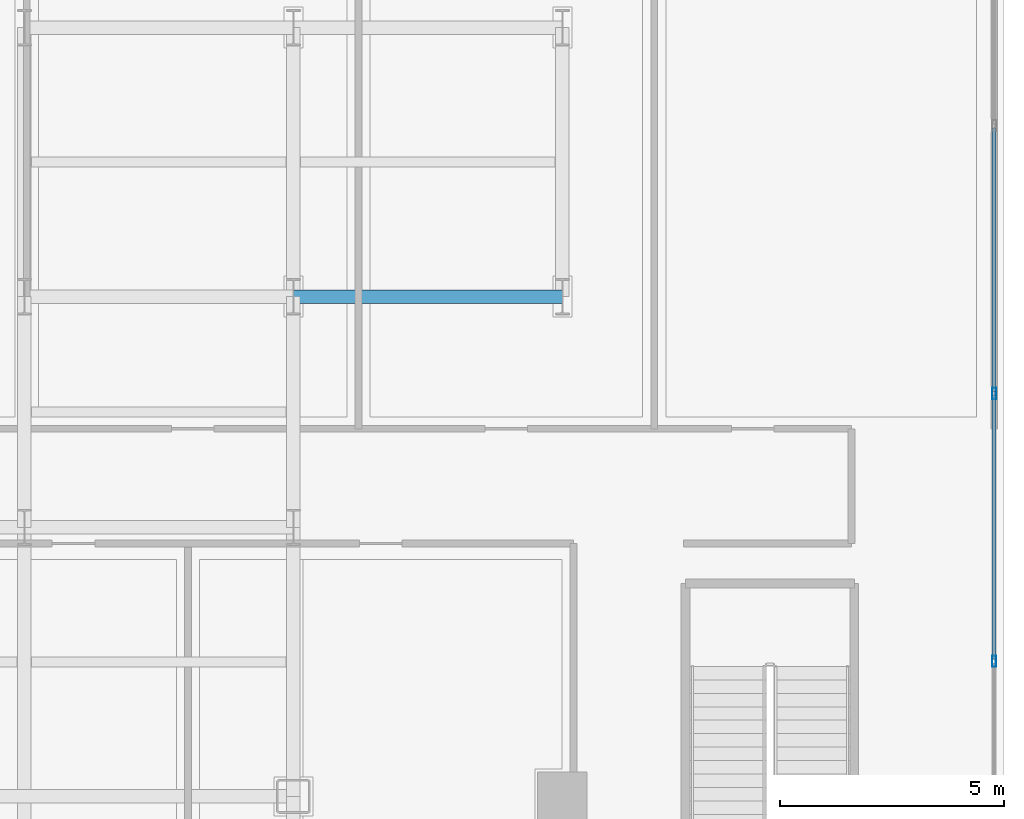
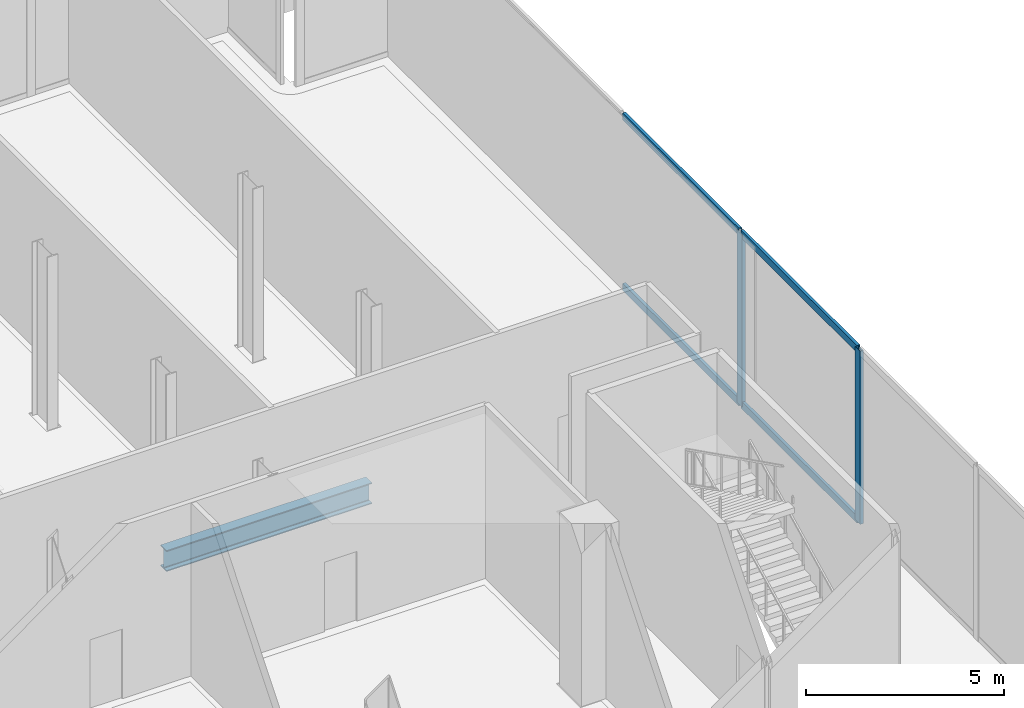
# One storey, part 12 of 27: 6 members, 1 beam, 1 element without a shape of its own.
"""IFC4 building model written with IfcOpenShell, lengths in metres."""

import ifcopenshell
import ifcopenshell.guid

model = None  # the IFC model being written
_history = None  # IfcOwnerHistory: only IFC2X3 demands one
_inside = {}  # id of a spatial element -> (the spatial element, [elements in it])
_under = {}  # id of a project, library or spatial element -> (it, [spatial elements below it])
_declared = {}  # id of a project -> (the project, [libraries it declares])
_typed = {}  # id of a type object -> (the type object, [elements of that type])
_made_of = {}  # id of a material, layer set ... -> (it, [elements and type objects made of it])


def new_model(schema):
    """Start an empty IFC model of exactly this schema.

    Asked for "IFC4X3", IfcOpenShell would pick the latest addendum, in which some entities
    have other attributes; the version numbers below select the first issue.
    IFC2X3 requires an IfcOwnerHistory on every rooted entity: one is made here for all.
    """
    global model, _history
    if schema == "IFC4X3":
        model = ifcopenshell.file(schema_version=(4, 3, 0, 0))
    else:
        model = ifcopenshell.file(schema=schema)
    _inside.clear()
    _under.clear()
    _declared.clear()
    _typed.clear()
    _made_of.clear()
    _history = None
    if model.schema == "IFC2X3":
        org = make("IfcOrganization", Name="unknown")
        user = make(
            "IfcPersonAndOrganization",
            ThePerson=make("IfcPerson", FamilyName="unknown"),
            TheOrganization=org,
        )
        app = make(
            "IfcApplication",
            ApplicationDeveloper=org,
            Version="unknown",
            ApplicationFullName="unknown",
            ApplicationIdentifier="unknown",
        )
        _history = make(
            "IfcOwnerHistory",
            OwningUser=user,
            OwningApplication=app,
            ChangeAction="ADDED",
            CreationDate=0,
        )
    return model


def make(cls, **values):
    """One entity of the class cls with the attributes given. An attribute that is None is left unset."""
    return model.create_entity(
        cls, **{name: value for name, value in values.items() if value is not None}
    )


def rooted(cls, **values):
    """An entity with a GlobalId (a new one), such as an element, a storey or a relation."""
    return make(cls, GlobalId=ifcopenshell.guid.new(), OwnerHistory=_history, **values)


def si_unit(unit_type, name, prefix=None):
    """IfcSIUnit, for example si_unit("LENGTHUNIT", "METRE", prefix="MILLI")."""
    return make("IfcSIUnit", UnitType=unit_type, Prefix=prefix, Name=name)


def assignment(units):
    """IfcUnitAssignment: the units of a project."""
    return None if units is None else make("IfcUnitAssignment", Units=units)


def point(xyz):
    """IfcCartesianPoint."""
    return None if xyz is None else make("IfcCartesianPoint", Coordinates=xyz)


def direction(xyz):
    """IfcDirection."""
    return None if xyz is None else make("IfcDirection", DirectionRatios=xyz)


def frame(location, z_axis=None, x_axis=None):
    """IfcAxis2Placement3D, a coordinate frame: its origin and axes. An axis left out is left unset."""
    return make(
        "IfcAxis2Placement3D",
        Location=point(location),
        Axis=direction(z_axis),
        RefDirection=direction(x_axis),
    )


def frame_2d(location, x_axis=None):
    """IfcAxis2Placement2D, a coordinate frame in the plane: its origin and x axis."""
    return make(
        "IfcAxis2Placement2D", Location=point(location), RefDirection=direction(x_axis)
    )


def origin():
    """The frame at (0, 0, 0) with its axes left unset."""
    return frame((0.0, 0.0, 0.0))


def origin_2d():
    """The frame at (0, 0) in the plane with its x axis left unset."""
    return frame_2d((0.0, 0.0))


def place(relative_to, where):
    """IfcLocalPlacement: puts the frame where relative to a parent placement (None: the world)."""
    return make(
        "IfcLocalPlacement", PlacementRelTo=relative_to, RelativePlacement=where
    )


def context(
    kind, dimensions, precision=None, world=None, true_north=None, identifier=None
):
    """IfcGeometricRepresentationContext, for example the 3D "Model" context."""
    return make(
        "IfcGeometricRepresentationContext",
        ContextIdentifier=identifier,
        ContextType=kind,
        CoordinateSpaceDimension=dimensions,
        Precision=precision,
        WorldCoordinateSystem=world,
        TrueNorth=true_north,
    )


def subcontext(parent, identifier, kind, view, scale=None):
    """IfcGeometricRepresentationSubContext, for example "Body" below "Model"."""
    return make(
        "IfcGeometricRepresentationSubContext",
        ContextIdentifier=identifier,
        ContextType=kind,
        ParentContext=parent,
        TargetScale=scale,
        TargetView=view,
    )


def project(units=None, contexts=None):
    """IfcProject with its units and contexts."""
    return rooted(
        "IfcProject",
        Name="project",
        RepresentationContexts=contexts,
        UnitsInContext=assignment(units),
    )


def spatial(cls, under=None, at=None, **own):
    """A site, building, storey or space (cls), placed at a placement, below another one or the project."""
    s = rooted(cls, ObjectPlacement=at, **own)
    if under is not None:
        _under.setdefault(under.id(), (under, []))[1].append(s)
    return s


def profile(cls, at=None, kind="AREA", **sizes):
    """A parametric profile (cls). Its sizes go by their IFC names, for example OverallWidth=200.0."""
    return make(cls, ProfileType=kind, Position=at, **sizes)


def hollow_rectangle(**sizes):
    """IfcRectangleHollowProfileDef."""
    return profile("IfcRectangleHollowProfileDef", **sizes)


def i_section(**sizes):
    """IfcIShapeProfileDef."""
    return profile("IfcIShapeProfileDef", **sizes)


def extrude(swept, where, along, depth):
    """IfcExtrudedAreaSolid: the profile swept, set in the frame where, extruded along a direction by depth."""
    return make(
        "IfcExtrudedAreaSolid",
        SweptArea=swept,
        Position=where,
        ExtrudedDirection=direction(along),
        Depth=depth,
    )


def shape(context_of_items, identifier, shape_type, items):
    """IfcShapeRepresentation: the items that make up one representation, for example the "Body"."""
    return make(
        "IfcShapeRepresentation",
        ContextOfItems=context_of_items,
        RepresentationIdentifier=identifier,
        RepresentationType=shape_type,
        Items=items,
    )


def material(Name=None, Category=None):
    """IfcMaterial."""
    return make("IfcMaterial", Name=Name, Category=Category)


def layer(
    of_material, thickness, ventilated=None, Name=None, Category=None, Priority=None
):
    """IfcMaterialLayer: one layer of a wall or slab, of a material (None: an air gap)."""
    return make(
        "IfcMaterialLayer",
        Material=of_material,
        LayerThickness=thickness,
        IsVentilated=ventilated,
        Name=Name,
        Category=Category,
        Priority=Priority,
    )


def layer_set(layers, Name=None):
    """IfcMaterialLayerSet."""
    return make("IfcMaterialLayerSet", MaterialLayers=layers, LayerSetName=Name)


def material_profile(
    of_material, cross_section, Name=None, Category=None, Priority=None
):
    """IfcMaterialProfile: a cross section and its material."""
    return make(
        "IfcMaterialProfile",
        Name=Name,
        Material=of_material,
        Profile=cross_section,
        Priority=Priority,
        Category=Category,
    )


def profile_set(profiles, Name=None, composite=None):
    """IfcMaterialProfileSet."""
    return make(
        "IfcMaterialProfileSet",
        Name=Name,
        MaterialProfiles=profiles,
        CompositeProfile=composite,
    )


def made_of(thing, what):
    """Note that an element or type object is made of a material, layer set ...; save() writes the relation."""
    if what is not None:
        _made_of.setdefault(what.id(), (what, []))[1].append(thing)
    return thing


def type_object(cls, material=None, **own):
    """A type object (cls), such as IfcWallType, which elements share."""
    return made_of(rooted(cls, **own), material)


def element(
    cls,
    number,
    at=None,
    inside=None,
    cuts=None,
    type_object=None,
    material=None,
    context=None,
    identifier="Body",
    shape_type=None,
    held_by="IfcProductDefinitionShape",
    body=None,
    shapes=None,
    **own,
):
    """One element of the class cls, such as IfcWall. Its Tag is "e" and its number.

    at: its placement. inside: the storey or other place that contains it. cuts: it is an
    opening in that element (IfcRelVoidsElement). A single representation is given by context,
    identifier, shape_type and body (its items); several are given by shapes. held_by: the class
    of the entity that holds the representations. save() writes the other relations.
    """
    e = rooted(cls, Tag="e%d" % number, ObjectPlacement=at, **own)
    if body is not None:
        shapes = [shape(context, identifier, shape_type, body)]
    if shapes is not None:
        e.Representation = make(held_by, Representations=shapes)
    if inside is not None:
        _inside.setdefault(inside.id(), (inside, []))[1].append(e)
    if cuts is not None:
        rooted(
            "IfcRelVoidsElement", RelatingBuildingElement=cuts, RelatedOpeningElement=e
        )
    if type_object is not None:
        _typed.setdefault(type_object.id(), (type_object, []))[1].append(e)
    return made_of(e, material)


def aggregate(whole, parts):
    """IfcRelAggregates: a whole, such as a stair, and the parts it consists of."""
    return rooted("IfcRelAggregates", RelatingObject=whole, RelatedObjects=parts)


def save(model, path):
    """Write the relations noted so far, then the file.

    IfcRelAggregates (storeys below a building ...), IfcRelContainedInSpatialStructure (elements
    in a storey), IfcRelDefinesByType, IfcRelAssociatesMaterial and IfcRelDeclares: one each for
    every whole, place, type object, material and project.
    """
    for whole, parts in _under.values():
        aggregate(whole, parts)
    for where, things in _inside.values():
        rooted(
            "IfcRelContainedInSpatialStructure",
            RelatedElements=things,
            RelatingStructure=where,
        )
    for kind, things in _typed.values():
        rooted("IfcRelDefinesByType", RelatedObjects=things, RelatingType=kind)
    for what, things in _made_of.values():
        rooted("IfcRelAssociatesMaterial", RelatedObjects=things, RelatingMaterial=what)
    for by, libraries in _declared.values():
        rooted("IfcRelDeclares", RelatingContext=by, RelatedDefinitions=libraries)
    model.write(path)


model = new_model("IFC4")

# Units and contexts
model_context = context("Model", 3, precision=1e-05, world=origin(), true_north=direction((0.0, 1.0)))
body_context = subcontext(model_context, "Body", "Model", "MODEL_VIEW")
ifc_project = project(units=[si_unit("LENGTHUNIT", "METRE"), si_unit("AREAUNIT", "SQUARE_METRE"), si_unit("VOLUMEUNIT", "CUBIC_METRE"), si_unit("PLANEANGLEUNIT", "RADIAN"), si_unit("MASSUNIT", "GRAM", prefix="KILO"), si_unit("THERMODYNAMICTEMPERATUREUNIT", "KELVIN"), si_unit("POWERUNIT", "WATT")], contexts=[model_context])

# Site, building, storey
site_placement = place(None, origin())
site = spatial("IfcSite", under=ifc_project, at=site_placement, CompositionType="ELEMENT")
building_placement = place(site_placement, origin())
building = spatial("IfcBuilding", under=site, at=building_placement, Name="Svarakhadi Broadcast Tower", CompositionType="ELEMENT")
storey_placement = place(building_placement, frame((0.0, 0.0, 21.89990234375)))
storey = spatial("IfcBuildingStorey", under=building, at=storey_placement, Name="L04", CompositionType="ELEMENT", Elevation=21.89990234375)

# Curtain wall, members
ifc_material_1 = material(Name="Anodised Bronze Aluminium AA 6063-T6", Category="aluminium")
ifc_layer = layer(ifc_material_1, 0.25)
ifc_layer_set = layer_set([ifc_layer], Name="Anodised Bronze Aluminium AA 6063-T6")
curtain_wall_type = type_object("IfcCurtainWallType", Name="CW_Sys_01", PredefinedType="NOTDEFINED", material=ifc_layer_set)
curtain_wall_placement = place(storey_placement, origin())
curtain_wall = element("IfcCurtainWall", 1, at=curtain_wall_placement, inside=storey, type_object=curtain_wall_type, Name="L04 Unitised Facade Curtain Wall 08", PredefinedType="NOTDEFINED")
ifc_material_profile_1 = material_profile(ifc_material_1, hollow_rectangle(XDim=0.094970703125, YDim=0.25, WallThickness=0.006103515625, at=origin_2d()), Name="ALU MULLION 250x95x6")
ifc_profile_set_1 = profile_set([ifc_material_profile_1], Name="Anodised Bronze Aluminium AA 6063-T6")
member_type_1 = type_object("IfcMemberType", Name="CW_Sys_01_Mul", PredefinedType="MULLION", material=ifc_profile_set_1)
member_1_placement = place(storey_placement, frame((62.780029296875, 26.987060546875, 0.0), z_axis=(0.0, 0.0, 1.0), x_axis=(1.0, 0.0, 0.0)))
member_1 = element("IfcMember", 2, at=member_1_placement, type_object=member_type_1, Name="CW-01 mullion 4", PredefinedType="MULLION", context=body_context, shape_type="SweptSolid", body=[
    extrude(hollow_rectangle(XDim=0.094970703125, YDim=0.25, WallThickness=0.006103515625, at=origin_2d()), origin(), (0.0, 0.0, 1.0), 5.35009765625),
])
member_2_placement = place(storey_placement, frame((62.780029296875, 21.012939453125, 0.0), z_axis=(0.0, 0.0, 1.0), x_axis=(1.0, 0.0, 0.0)))
member_2 = element("IfcMember", 3, at=member_2_placement, type_object=member_type_1, Name="CW-01 mullion 5", PredefinedType="MULLION", context=body_context, shape_type="SweptSolid", body=[
    extrude(hollow_rectangle(XDim=0.094970703125, YDim=0.25, WallThickness=0.006103515625, at=origin_2d()), origin(), (0.0, 0.0, 1.0), 5.35009765625),
])
ifc_material_profile_2 = material_profile(ifc_material_1, hollow_rectangle(XDim=0.0849609375, YDim=0.219970703125, WallThickness=0.0048828125, at=origin_2d()), Name="ALU TRANSOM 220x85x5")
ifc_profile_set_2 = profile_set([ifc_material_profile_2], Name="Anodised Bronze Aluminium AA 6063-T6")
member_type_2 = type_object("IfcMemberType", Name="CW_Sys_01_Trn", PredefinedType="USERDEFINED", material=ifc_profile_set_2)
member_3_placement = place(storey_placement, frame((62.780029296875, 32.913818359375, 0.04248046875), z_axis=(0.0, -1.0, 0.0), x_axis=(1.0, 0.0, 0.0)))
member_3 = element("IfcMember", 4, at=member_3_placement, type_object=member_type_2, Name="CW-01 transom 3.1", ObjectType="TRANSOM", PredefinedType="USERDEFINED", context=body_context, shape_type="SweptSolid", body=[
    extrude(hollow_rectangle(XDim=0.0849609375, YDim=0.219970703125, WallThickness=0.0048828125, at=origin_2d()), origin(), (0.0, 0.0, 1.0), 5.879150390625),
])
member_4_placement = place(storey_placement, frame((62.780029296875, 32.913818359375, 5.3076171875), z_axis=(0.0, -1.0, 0.0), x_axis=(1.0, 0.0, 0.0)))
member_4 = element("IfcMember", 5, at=member_4_placement, type_object=member_type_2, Name="CW-01 transom 3.2", ObjectType="TRANSOM", PredefinedType="USERDEFINED", context=body_context, shape_type="SweptSolid", body=[
    extrude(hollow_rectangle(XDim=0.0849609375, YDim=0.219970703125, WallThickness=0.0048828125, at=origin_2d()), origin(), (0.0, 0.0, 1.0), 5.879150390625),
])
member_5_placement = place(storey_placement, frame((62.780029296875, 26.939697265625, 0.04248046875), z_axis=(0.0, -1.0, 0.0), x_axis=(1.0, 0.0, 0.0)))
member_5 = element("IfcMember", 6, at=member_5_placement, type_object=member_type_2, Name="CW-01 transom 4.1", ObjectType="TRANSOM", PredefinedType="USERDEFINED", context=body_context, shape_type="SweptSolid", body=[
    extrude(hollow_rectangle(XDim=0.0849609375, YDim=0.219970703125, WallThickness=0.0048828125, at=origin_2d()), origin(), (0.0, 0.0, 1.0), 5.87939453125),
])
member_6_placement = place(storey_placement, frame((62.780029296875, 26.939697265625, 5.3076171875), z_axis=(0.0, -1.0, 0.0), x_axis=(1.0, 0.0, 0.0)))
member_6 = element("IfcMember", 7, at=member_6_placement, type_object=member_type_2, Name="CW-01 transom 4.2", ObjectType="TRANSOM", PredefinedType="USERDEFINED", context=body_context, shape_type="SweptSolid", body=[
    extrude(hollow_rectangle(XDim=0.0849609375, YDim=0.219970703125, WallThickness=0.0048828125, at=origin_2d()), origin(), (0.0, 0.0, 1.0), 5.87939453125),
])
aggregate(curtain_wall, [member_1, member_2, member_3, member_4, member_5, member_6])

# Beam
ifc_material_2 = material(Name="Steel S355J2 (IS 2062 E350C)", Category="steel")
ifc_material_profile_3 = material_profile(ifc_material_2, i_section(OverallWidth=0.300048828125, OverallDepth=0.64990234375, WebThickness=0.01611328125, FlangeThickness=0.031005859375, FilletRadius=0.027099609375, at=origin_2d()), Name="WPB 650x300x225")
ifc_profile_set_3 = profile_set([ifc_material_profile_3], Name="Steel S355J2 (IS 2062 E350C)")
beam_type = type_object("IfcBeamType", Name="Girder_WPB650", PredefinedType="USERDEFINED", material=ifc_profile_set_3)
beam_placement = place(storey_placement, frame((47.14990234375, 29.14990234375, -0.599853515625), z_axis=(1.0, 0.0, 0.0), x_axis=(0.0, 1.0, 0.0)))
element("IfcBeam", 8, at=beam_placement, inside=storey, type_object=beam_type, Name="L04 Primary E-W Girder G036", ObjectType="GIRDER", PredefinedType="USERDEFINED", context=body_context, shape_type="SweptSolid", body=[
    extrude(i_section(OverallWidth=0.300048828125, OverallDepth=0.64990234375, WebThickness=0.01611328125, FlangeThickness=0.031005859375, FilletRadius=0.027099609375, at=origin_2d()), origin(), (0.0, 0.0, 1.0), 6.0),
])

save(model, "model.ifc")
